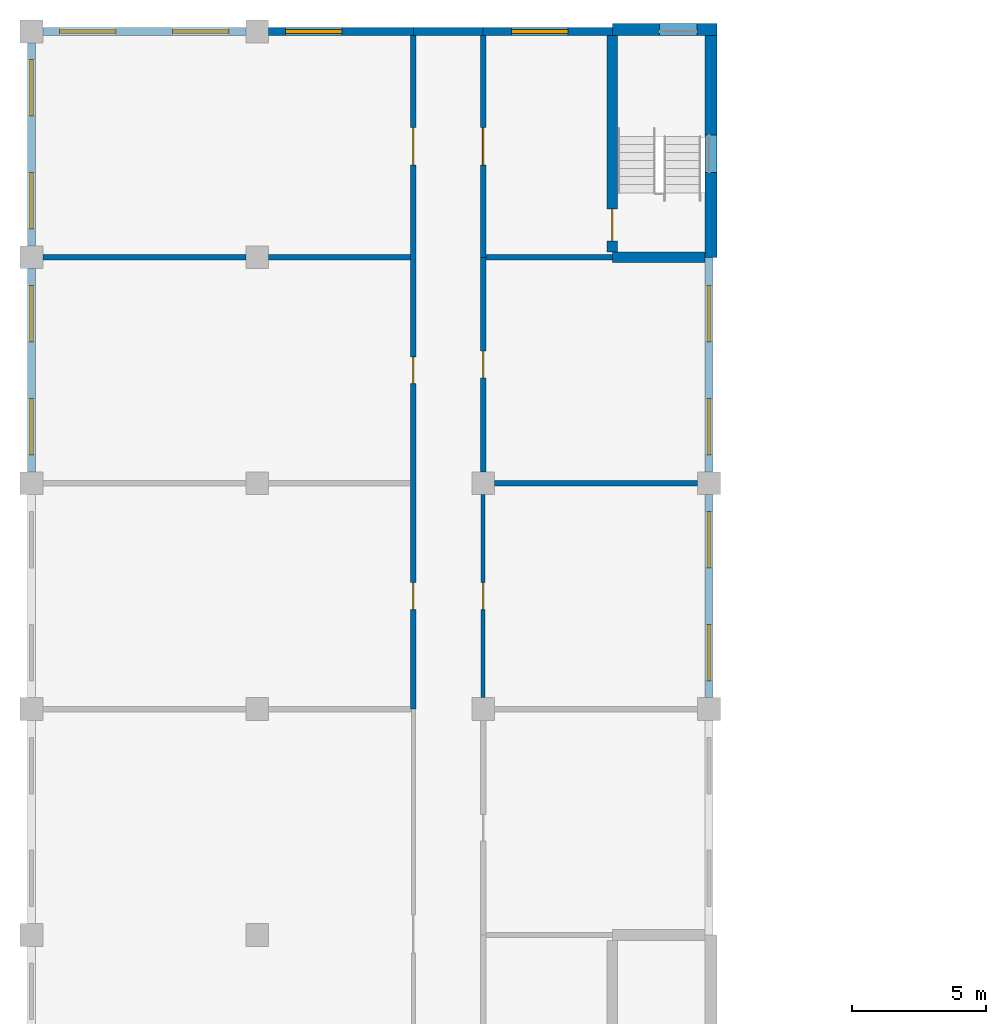
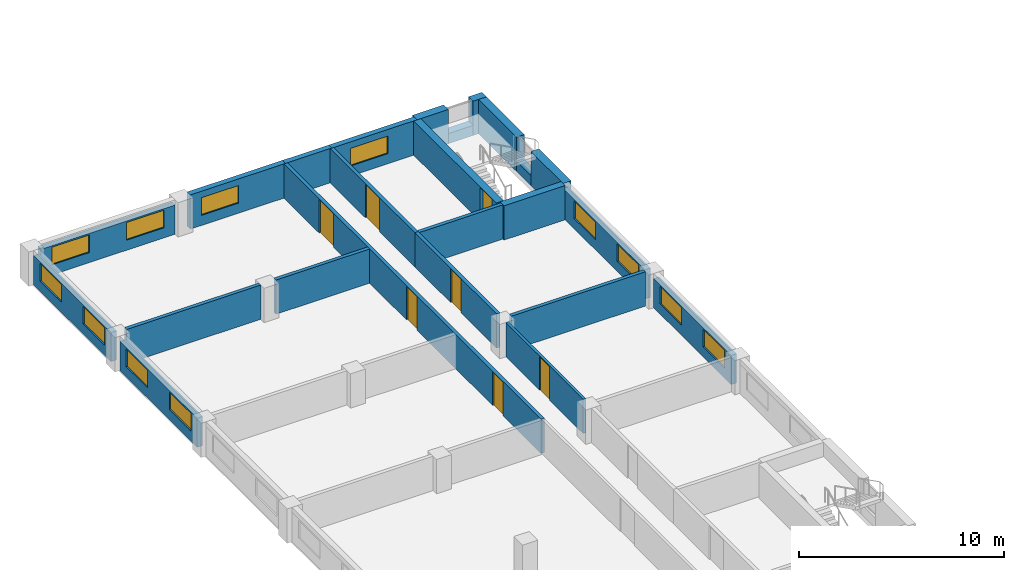
# One storey, part 38 of 48: 24 walls, 12 windows, 7 doors, 19 openings.
"""IFC4 building model written with IfcOpenShell, lengths in metres."""

from ifc_helpers import new_model, si_unit, direction, frame, frame_2d, origin, place, context, subcontext, project, spatial, rectangle, extrude, material, layer, layer_set, type_object, element, fill, save


model = new_model("IFC4")

# Units and contexts
model_context = context("Model", 3, precision=1e-05, world=origin(), true_north=direction((0.0, 1.0)))
body_context = subcontext(model_context, "Body", "Model", "MODEL_VIEW")
ifc_project = project(units=[si_unit("LENGTHUNIT", "METRE"), si_unit("AREAUNIT", "SQUARE_METRE"), si_unit("VOLUMEUNIT", "CUBIC_METRE"), si_unit("PLANEANGLEUNIT", "RADIAN"), si_unit("MASSUNIT", "GRAM", prefix="KILO")], contexts=[model_context])

# Site, building, storey
site_placement = place(None, origin())
site = spatial("IfcSite", under=ifc_project, at=site_placement, CompositionType="ELEMENT")
building_placement = place(site_placement, origin())
building = spatial("IfcBuilding", under=site, at=building_placement, Name="Yavir Park General Hospital", CompositionType="ELEMENT")
storey_placement = place(building_placement, frame((0.0, 0.0, 12.89990234375)))
storey = spatial("IfcBuildingStorey", under=building, at=storey_placement, Name="I02", CompositionType="ELEMENT", Elevation=12.89990234375)

# Wall
ifc_material_1 = material(Name="Double gypsum board fire partition on steel studs", Category="steel")
ifc_layer_1 = layer(ifc_material_1, 0.199951171875)
ifc_layer_set_1 = layer_set([ifc_layer_1], Name="Double gypsum board fire partition on steel studs")
wall_type_1 = type_object("IfcWallType", Name="Fire-rated partition 200, EI 60", PredefinedType="PARTITIONING", material=ifc_layer_set_1)
wall_1_placement = place(storey_placement, frame((16.89990234375, 109.199951171875, 0.0), z_axis=(0.0, 0.0, 1.0), x_axis=(1.0, 0.0, 0.0)))
element("IfcWall", 1, at=wall_1_placement, inside=storey, type_object=wall_type_1, Name="FP20 I02-102", PredefinedType="PARTITIONING", context=body_context, shape_type="SweptSolid", body=[
    extrude(rectangle(XDim=4.7001953125, YDim=0.199951171875, at=frame_2d((2.35009765625, 0.0))), origin(), (0.0, 0.0, 1.0), 2.0400390625),
])

# Wall, opening, door
wall_2_placement = place(storey_placement, frame((16.800048828125, 109.199951171875, 0.0), z_axis=(0.0, 0.0, 1.0), x_axis=(0.0, 1.0, 0.0)))
wall_2 = element("IfcWall", 2, at=wall_2_placement, inside=storey, type_object=wall_type_1, Name="FP20 I02-129", PredefinedType="PARTITIONING", context=body_context, shape_type="SweptSolid", body=[
    extrude(rectangle(XDim=8.25, YDim=0.199951171875, at=frame_2d((4.125, 0.0))), origin(), (0.0, 0.0, 1.0), 2.0400390625),
])
opening_1_placement = place(wall_2_placement, frame((3.425048828125, 0.0, 0.0)))
opening_1 = element("IfcOpeningElement", 3, at=opening_1_placement, cuts=wall_2, Name="Opening I02.D075", PredefinedType="OPENING", context=body_context, shape_type="SweptSolid", body=[
    extrude(rectangle(XDim=1.39990234375, YDim=2.0, at=frame_2d((0.699951171875, 1.0))), frame((0.0, 0.10986328125, 0.0), z_axis=(0.0, -1.0, 0.0), x_axis=(1.0, 0.0, 0.0)), (0.0, 0.0, 1.0), 0.219970703125),
])
ifc_material_2 = material(Name="Steel frame, fire-resisting leaves with vision panels", Category="steel")
door_type_1 = type_object("IfcDoorType", Name="Double fire door with vision panels 1400 x 2000, EI 60", OperationType="DOUBLE_DOOR_SINGLE_SWING", PredefinedType="DOOR", material=ifc_material_2)
door_1_placement = place(opening_1_placement, origin())
door_1 = element("IfcDoor", 4, at=door_1_placement, inside=storey, type_object=door_type_1, Name="I02.D075", OperationType="SINGLE_SWING_LEFT", OverallHeight=2.0, OverallWidth=1.39990234375, PredefinedType="DOOR", context=body_context, shape_type="SweptSolid", body=[
    extrude(rectangle(XDim=1.39990234375, YDim=2.0, at=frame_2d((0.699951171875, 1.0))), frame((0.0, 0.030029296875, 0.0), z_axis=(0.0, -1.0, 0.0), x_axis=(1.0, 0.0, 0.0)), (0.0, 0.0, 1.0), 0.06005859375),
])
fill(opening_1, door_1)

ifc_material_3 = material(Name="Gypsum board partition on steel studs", Category="steel")
ifc_layer_2 = layer(ifc_material_3, 0.14990234375)
ifc_layer_set_2 = layer_set([ifc_layer_2], Name="Gypsum board partition on steel studs")
wall_type_2 = type_object("IfcWallType", Name="Gypsum board partition 150", PredefinedType="PARTITIONING", material=ifc_layer_set_2)
wall_3_placement = place(storey_placement, frame((16.800048828125, 92.824951171875, 0.0), z_axis=(0.0, 0.0, 1.0), x_axis=(0.0, 1.0, 0.0)))
wall_3 = element("IfcWall", 5, at=wall_3_placement, inside=storey, type_object=wall_type_2, Name="P15 I02-127", PredefinedType="PARTITIONING", context=body_context, shape_type="SweptSolid", body=[
    extrude(rectangle(XDim=7.550048828125, YDim=0.14990234375, at=frame_2d((3.77490234375, 0.0))), origin(), (0.0, 0.0, 1.0), 2.0400390625),
])
opening_2_placement = place(wall_3_placement, frame((3.27490234375, 0.0, 0.0)))
opening_2 = element("IfcOpeningElement", 6, at=opening_2_placement, cuts=wall_3, Name="Opening I02.D073", PredefinedType="OPENING", context=body_context, shape_type="SweptSolid", body=[
    extrude(rectangle(XDim=1.0, YDim=2.0, at=frame_2d((0.5, 1.0))), frame((0.0, 0.0849609375, 0.0), z_axis=(0.0, -1.0, 0.0), x_axis=(1.0, 0.0, 0.0)), (0.0, 0.0, 1.0), 0.169921875),
])
ifc_material_4 = material(Name="Hollow metal frame, solid-core timber leaf", Category="wood")
door_type_2 = type_object("IfcDoorType", Name="Single swing door 1000 x 2000", OperationType="SINGLE_SWING_LEFT", PredefinedType="DOOR", material=ifc_material_4)
door_2_placement = place(opening_2_placement, origin())
door_2 = element("IfcDoor", 7, at=door_2_placement, inside=storey, type_object=door_type_2, Name="I02.D073", OperationType="SINGLE_SWING_LEFT", OverallHeight=2.0, OverallWidth=1.0, PredefinedType="DOOR", context=body_context, shape_type="SweptSolid", body=[
    extrude(rectangle(XDim=1.0, YDim=2.0, at=frame_2d((0.5, 1.0))), frame((0.0, 0.02490234375, 0.0), z_axis=(0.0, -1.0, 0.0), x_axis=(1.0, 0.0, 0.0)), (0.0, 0.0, 1.0), 0.050048828125),
])
fill(opening_2, door_2)

# Wall, openings, windows
ifc_material_5 = material(Name="Insulated sandwich panels on a Steel S355 subframe", Category="steel")
ifc_layer_3 = layer(ifc_material_5, 0.300048828125)
ifc_layer_set_3 = layer_set([ifc_layer_3], Name="Insulated sandwich panels on a Steel S355 subframe")
wall_type_3 = type_object("IfcWallType", Name="Insulated panel service floor wall 300, E 30", PredefinedType="SOLIDWALL", material=ifc_layer_set_3)
wall_4_placement = place(storey_placement, frame((0.425048828125, 117.60009765625, 0.0), z_axis=(0.0, 0.0, 1.0), x_axis=(1.0, 0.0, 0.0)))
wall_4 = element("IfcWall", 8, at=wall_4_placement, inside=storey, type_object=wall_type_3, Name="XW5 I02-063", PredefinedType="SOLIDWALL", context=body_context, shape_type="SweptSolid", body=[
    extrude(rectangle(XDim=7.550048828125, YDim=0.300048828125, at=frame_2d((3.77490234375, 0.0))), origin(), (0.0, 0.0, 1.0), 1.739990234375),
])
opening_3_placement = place(wall_4_placement, frame((0.625, 0.0, 0.60009765625)))
opening_3 = element("IfcOpeningElement", 9, at=opening_3_placement, cuts=wall_4, Name="Opening LV3", PredefinedType="OPENING", context=body_context, shape_type="SweptSolid", body=[
    extrude(rectangle(XDim=2.10009765625, YDim=1.050048828125, at=frame_2d((1.050048828125, 0.52490234375))), frame((0.0, 0.159912109375, 0.0), z_axis=(0.0, -1.0, 0.0), x_axis=(1.0, 0.0, 0.0)), (0.0, 0.0, 1.0), 0.320068359375),
])
opening_4_placement = place(wall_4_placement, frame((4.824951171875, 0.0, 0.60009765625)))
opening_4 = element("IfcOpeningElement", 10, at=opening_4_placement, cuts=wall_4, Name="Opening LV3", PredefinedType="OPENING", context=body_context, shape_type="SweptSolid", body=[
    extrude(rectangle(XDim=2.10009765625, YDim=1.050048828125, at=frame_2d((1.050048828125, 0.52490234375))), frame((0.0, 0.159912109375, 0.0), z_axis=(0.0, -1.0, 0.0), x_axis=(1.0, 0.0, 0.0)), (0.0, 0.0, 1.0), 0.320068359375),
])
ifc_material_6 = material(Name="Anodised aluminium louvre blades in a deep frame", Category="aluminium")
window_type = type_object("IfcWindowType", Name="Interstitial floor louvre 2100 x 1050", PartitioningType="SINGLE_PANEL", PredefinedType="WINDOW", material=ifc_material_6)
window_1_placement = place(opening_3_placement, origin())
window_1 = element("IfcWindow", 11, at=window_1_placement, inside=storey, type_object=window_type, Name="LV3 I02-059", OverallHeight=1.050048828125, OverallWidth=2.10009765625, PartitioningType="SINGLE_PANEL", PredefinedType="WINDOW", context=body_context, shape_type="SweptSolid", body=[
    extrude(rectangle(XDim=2.10009765625, YDim=1.050048828125, at=frame_2d((1.050048828125, 0.52490234375))), frame((0.0, 0.074951171875, 0.0), z_axis=(0.0, -1.0, 0.0), x_axis=(1.0, 0.0, 0.0)), (0.0, 0.0, 1.0), 0.14990234375),
])
fill(opening_3, window_1)
window_2_placement = place(opening_4_placement, origin())
window_2 = element("IfcWindow", 12, at=window_2_placement, inside=storey, type_object=window_type, Name="LV3 I02-060", OverallHeight=1.050048828125, OverallWidth=2.10009765625, PartitioningType="SINGLE_PANEL", PredefinedType="WINDOW", context=body_context, shape_type="SweptSolid", body=[
    extrude(rectangle(XDim=2.10009765625, YDim=1.050048828125, at=frame_2d((1.050048828125, 0.52490234375))), frame((0.0, 0.074951171875, 0.0), z_axis=(0.0, -1.0, 0.0), x_axis=(1.0, 0.0, 0.0)), (0.0, 0.0, 1.0), 0.14990234375),
])
fill(opening_4, window_2)

# Wall, opening, window
wall_5_placement = place(storey_placement, frame((8.824951171875, 117.60009765625, 0.0), z_axis=(0.0, 0.0, 1.0), x_axis=(1.0, 0.0, 0.0)))
wall_5 = element("IfcWall", 13, at=wall_5_placement, inside=storey, type_object=wall_type_3, Name="XW5 I02-064", PredefinedType="SOLIDWALL", context=body_context, shape_type="SweptSolid", body=[
    extrude(rectangle(XDim=5.375, YDim=0.300048828125, at=frame_2d((2.6875, 0.0))), origin(), (0.0, 0.0, 1.0), 2.0400390625),
])
opening_5_placement = place(wall_5_placement, frame((0.625, 0.0, 0.60009765625)))
opening_5 = element("IfcOpeningElement", 14, at=opening_5_placement, cuts=wall_5, Name="Opening LV3", PredefinedType="OPENING", context=body_context, shape_type="SweptSolid", body=[
    extrude(rectangle(XDim=2.10009765625, YDim=1.050048828125, at=frame_2d((1.050048828125, 0.52490234375))), frame((0.0, 0.159912109375, 0.0), z_axis=(0.0, -1.0, 0.0), x_axis=(1.0, 0.0, 0.0)), (0.0, 0.0, 1.0), 0.320068359375),
])
window_3_placement = place(opening_5_placement, origin())
window_3 = element("IfcWindow", 15, at=window_3_placement, inside=storey, type_object=window_type, Name="LV3 I02-061", OverallHeight=1.050048828125, OverallWidth=2.10009765625, PartitioningType="SINGLE_PANEL", PredefinedType="WINDOW", context=body_context, shape_type="SweptSolid", body=[
    extrude(rectangle(XDim=2.10009765625, YDim=1.050048828125, at=frame_2d((1.050048828125, 0.52490234375))), frame((0.0, 0.074951171875, 0.0), z_axis=(0.0, -1.0, 0.0), x_axis=(1.0, 0.0, 0.0)), (0.0, 0.0, 1.0), 0.14990234375),
])
fill(opening_5, window_3)

# Wall
wall_6_placement = place(storey_placement, frame((14.199951171875, 117.60009765625, 0.0), z_axis=(0.0, 0.0, 1.0), x_axis=(1.0, 0.0, 0.0)))
element("IfcWall", 16, at=wall_6_placement, inside=storey, type_object=wall_type_3, Name="XW5 I02-065", PredefinedType="SOLIDWALL", context=body_context, shape_type="SweptSolid", body=[
    extrude(rectangle(XDim=2.60009765625, YDim=0.300048828125, at=frame_2d((1.300048828125, 0.0))), origin(), (0.0, 0.0, 1.0), 2.0400390625),
])

# Wall, opening, window
wall_7_placement = place(storey_placement, frame((16.800048828125, 117.60009765625, 0.0), z_axis=(0.0, 0.0, 1.0), x_axis=(1.0, 0.0, 0.0)))
wall_7 = element("IfcWall", 17, at=wall_7_placement, inside=storey, type_object=wall_type_3, Name="XW5 I02-066", PredefinedType="SOLIDWALL", context=body_context, shape_type="SweptSolid", body=[
    extrude(rectangle(XDim=4.800048828125, YDim=0.300048828125, at=frame_2d((2.39990234375, 0.0))), origin(), (0.0, 0.0, 1.0), 2.0400390625),
])
opening_6_placement = place(wall_7_placement, frame((1.050048828125, 0.0, 0.60009765625)))
opening_6 = element("IfcOpeningElement", 18, at=opening_6_placement, cuts=wall_7, Name="Opening LV3", PredefinedType="OPENING", context=body_context, shape_type="SweptSolid", body=[
    extrude(rectangle(XDim=2.10009765625, YDim=1.050048828125, at=frame_2d((1.050048828125, 0.52490234375))), frame((0.0, 0.159912109375, 0.0), z_axis=(0.0, -1.0, 0.0), x_axis=(1.0, 0.0, 0.0)), (0.0, 0.0, 1.0), 0.320068359375),
])
window_4_placement = place(opening_6_placement, origin())
window_4 = element("IfcWindow", 19, at=window_4_placement, inside=storey, type_object=window_type, Name="LV3 I02-062", OverallHeight=1.050048828125, OverallWidth=2.10009765625, PartitioningType="SINGLE_PANEL", PredefinedType="WINDOW", context=body_context, shape_type="SweptSolid", body=[
    extrude(rectangle(XDim=2.10009765625, YDim=1.050048828125, at=frame_2d((1.050048828125, 0.52490234375))), frame((0.0, 0.074951171875, 0.0), z_axis=(0.0, -1.0, 0.0), x_axis=(1.0, 0.0, 0.0)), (0.0, 0.0, 1.0), 0.14990234375),
])
fill(opening_6, window_4)

# Wall, openings, windows
wall_8_placement = place(storey_placement, frame((0.0, 101.22509765625, 0.0), z_axis=(0.0, 0.0, 1.0), x_axis=(0.0, 1.0, 0.0)))
wall_8 = element("IfcWall", 20, at=wall_8_placement, inside=storey, type_object=wall_type_3, Name="XW5 I02-087", PredefinedType="SOLIDWALL", context=body_context, shape_type="SweptSolid", body=[
    extrude(rectangle(XDim=7.5498046875, YDim=0.300048828125, at=frame_2d((3.77490234375, 0.0))), origin(), (0.0, 0.0, 1.0), 1.739990234375),
])
opening_7_placement = place(wall_8_placement, frame((0.625, 0.0, 0.60009765625)))
opening_7 = element("IfcOpeningElement", 21, at=opening_7_placement, cuts=wall_8, Name="Opening LV3", PredefinedType="OPENING", context=body_context, shape_type="SweptSolid", body=[
    extrude(rectangle(XDim=2.10009765625, YDim=1.050048828125, at=frame_2d((1.050048828125, 0.52490234375))), frame((0.0, 0.159912109375, 0.0), z_axis=(0.0, -1.0, 0.0), x_axis=(1.0, 0.0, 0.0)), (0.0, 0.0, 1.0), 0.320068359375),
])
opening_8_placement = place(wall_8_placement, frame((4.824951171875, 0.0, 0.60009765625)))
opening_8 = element("IfcOpeningElement", 22, at=opening_8_placement, cuts=wall_8, Name="Opening LV3", PredefinedType="OPENING", context=body_context, shape_type="SweptSolid", body=[
    extrude(rectangle(XDim=2.10009765625, YDim=1.050048828125, at=frame_2d((1.050048828125, 0.52490234375))), frame((0.0, 0.159912109375, 0.0), z_axis=(0.0, -1.0, 0.0), x_axis=(1.0, 0.0, 0.0)), (0.0, 0.0, 1.0), 0.320068359375),
])
window_5_placement = place(opening_7_placement, origin())
window_5 = element("IfcWindow", 23, at=window_5_placement, inside=storey, type_object=window_type, Name="LV3 I02-083", OverallHeight=1.050048828125, OverallWidth=2.10009765625, PartitioningType="SINGLE_PANEL", PredefinedType="WINDOW", context=body_context, shape_type="SweptSolid", body=[
    extrude(rectangle(XDim=2.10009765625, YDim=1.050048828125, at=frame_2d((1.050048828125, 0.52490234375))), frame((0.0, 0.074951171875, 0.0), z_axis=(0.0, -1.0, 0.0), x_axis=(1.0, 0.0, 0.0)), (0.0, 0.0, 1.0), 0.14990234375),
])
fill(opening_7, window_5)
window_6_placement = place(opening_8_placement, origin())
window_6 = element("IfcWindow", 24, at=window_6_placement, inside=storey, type_object=window_type, Name="LV3 I02-084", OverallHeight=1.050048828125, OverallWidth=2.10009765625, PartitioningType="SINGLE_PANEL", PredefinedType="WINDOW", context=body_context, shape_type="SweptSolid", body=[
    extrude(rectangle(XDim=2.10009765625, YDim=1.050048828125, at=frame_2d((1.050048828125, 0.52490234375))), frame((0.0, 0.074951171875, 0.0), z_axis=(0.0, -1.0, 0.0), x_axis=(1.0, 0.0, 0.0)), (0.0, 0.0, 1.0), 0.14990234375),
])
fill(opening_8, window_6)

wall_9_placement = place(storey_placement, frame((0.0, 109.625, 0.0), z_axis=(0.0, 0.0, 1.0), x_axis=(0.0, 1.0, 0.0)))
wall_9 = element("IfcWall", 25, at=wall_9_placement, inside=storey, type_object=wall_type_3, Name="XW5 I02-088", PredefinedType="SOLIDWALL", context=body_context, shape_type="SweptSolid", body=[
    extrude(rectangle(XDim=7.550048828125, YDim=0.300048828125, at=frame_2d((3.77490234375, 0.0))), origin(), (0.0, 0.0, 1.0), 1.739990234375),
])
opening_9_placement = place(wall_9_placement, frame((0.625, 0.0, 0.60009765625)))
opening_9 = element("IfcOpeningElement", 26, at=opening_9_placement, cuts=wall_9, Name="Opening LV3", PredefinedType="OPENING", context=body_context, shape_type="SweptSolid", body=[
    extrude(rectangle(XDim=2.10009765625, YDim=1.050048828125, at=frame_2d((1.050048828125, 0.52490234375))), frame((0.0, 0.159912109375, 0.0), z_axis=(0.0, -1.0, 0.0), x_axis=(1.0, 0.0, 0.0)), (0.0, 0.0, 1.0), 0.320068359375),
])
opening_10_placement = place(wall_9_placement, frame((4.824951171875, 0.0, 0.60009765625)))
opening_10 = element("IfcOpeningElement", 27, at=opening_10_placement, cuts=wall_9, Name="Opening LV3", PredefinedType="OPENING", context=body_context, shape_type="SweptSolid", body=[
    extrude(rectangle(XDim=2.10009765625, YDim=1.050048828125, at=frame_2d((1.050048828125, 0.52490234375))), frame((0.0, 0.159912109375, 0.0), z_axis=(0.0, -1.0, 0.0), x_axis=(1.0, 0.0, 0.0)), (0.0, 0.0, 1.0), 0.320068359375),
])
window_7_placement = place(opening_9_placement, origin())
window_7 = element("IfcWindow", 28, at=window_7_placement, inside=storey, type_object=window_type, Name="LV3 I02-085", OverallHeight=1.050048828125, OverallWidth=2.10009765625, PartitioningType="SINGLE_PANEL", PredefinedType="WINDOW", context=body_context, shape_type="SweptSolid", body=[
    extrude(rectangle(XDim=2.10009765625, YDim=1.050048828125, at=frame_2d((1.050048828125, 0.52490234375))), frame((0.0, 0.074951171875, 0.0), z_axis=(0.0, -1.0, 0.0), x_axis=(1.0, 0.0, 0.0)), (0.0, 0.0, 1.0), 0.14990234375),
])
fill(opening_9, window_7)
window_8_placement = place(opening_10_placement, origin())
window_8 = element("IfcWindow", 29, at=window_8_placement, inside=storey, type_object=window_type, Name="LV3 I02-086", OverallHeight=1.050048828125, OverallWidth=2.10009765625, PartitioningType="SINGLE_PANEL", PredefinedType="WINDOW", context=body_context, shape_type="SweptSolid", body=[
    extrude(rectangle(XDim=2.10009765625, YDim=1.050048828125, at=frame_2d((1.050048828125, 0.52490234375))), frame((0.0, 0.074951171875, 0.0), z_axis=(0.0, -1.0, 0.0), x_axis=(1.0, 0.0, 0.0)), (0.0, 0.0, 1.0), 0.14990234375),
])
fill(opening_10, window_8)

wall_10_placement = place(storey_placement, frame((25.199951171875, 92.824951171875, 0.0), z_axis=(0.0, 0.0, 1.0), x_axis=(0.0, 1.0, 0.0)))
wall_10 = element("IfcWall", 30, at=wall_10_placement, inside=storey, type_object=wall_type_3, Name="XW5 I02-100", PredefinedType="SOLIDWALL", context=body_context, shape_type="SweptSolid", body=[
    extrude(rectangle(XDim=7.550048828125, YDim=0.300048828125, at=frame_2d((3.77490234375, 0.0))), origin(), (0.0, 0.0, 1.0), 1.739990234375),
])
opening_11_placement = place(wall_10_placement, frame((0.625, 0.0, 0.60009765625)))
opening_11 = element("IfcOpeningElement", 31, at=opening_11_placement, cuts=wall_10, Name="Opening LV3", PredefinedType="OPENING", context=body_context, shape_type="SweptSolid", body=[
    extrude(rectangle(XDim=2.10009765625, YDim=1.050048828125, at=frame_2d((1.050048828125, 0.52490234375))), frame((0.0, 0.159912109375, 0.0), z_axis=(0.0, -1.0, 0.0), x_axis=(1.0, 0.0, 0.0)), (0.0, 0.0, 1.0), 0.320068359375),
])
opening_12_placement = place(wall_10_placement, frame((4.824951171875, 0.0, 0.60009765625)))
opening_12 = element("IfcOpeningElement", 32, at=opening_12_placement, cuts=wall_10, Name="Opening LV3", PredefinedType="OPENING", context=body_context, shape_type="SweptSolid", body=[
    extrude(rectangle(XDim=2.10009765625, YDim=1.050048828125, at=frame_2d((1.050048828125, 0.52490234375))), frame((0.0, 0.159912109375, 0.0), z_axis=(0.0, -1.0, 0.0), x_axis=(1.0, 0.0, 0.0)), (0.0, 0.0, 1.0), 0.320068359375),
])
window_9_placement = place(opening_11_placement, origin())
window_9 = element("IfcWindow", 33, at=window_9_placement, inside=storey, type_object=window_type, Name="LV3 I02-097", OverallHeight=1.050048828125, OverallWidth=2.10009765625, PartitioningType="SINGLE_PANEL", PredefinedType="WINDOW", context=body_context, shape_type="SweptSolid", body=[
    extrude(rectangle(XDim=2.10009765625, YDim=1.050048828125, at=frame_2d((1.050048828125, 0.52490234375))), frame((0.0, 0.074951171875, 0.0), z_axis=(0.0, -1.0, 0.0), x_axis=(1.0, 0.0, 0.0)), (0.0, 0.0, 1.0), 0.14990234375),
])
fill(opening_11, window_9)
window_10_placement = place(opening_12_placement, origin())
window_10 = element("IfcWindow", 34, at=window_10_placement, inside=storey, type_object=window_type, Name="LV3 I02-098", OverallHeight=1.050048828125, OverallWidth=2.10009765625, PartitioningType="SINGLE_PANEL", PredefinedType="WINDOW", context=body_context, shape_type="SweptSolid", body=[
    extrude(rectangle(XDim=2.10009765625, YDim=1.050048828125, at=frame_2d((1.050048828125, 0.52490234375))), frame((0.0, 0.074951171875, 0.0), z_axis=(0.0, -1.0, 0.0), x_axis=(1.0, 0.0, 0.0)), (0.0, 0.0, 1.0), 0.14990234375),
])
fill(opening_12, window_10)

wall_11_placement = place(storey_placement, frame((25.199951171875, 101.22509765625, 0.0), z_axis=(0.0, 0.0, 1.0), x_axis=(0.0, 1.0, 0.0)))
wall_11 = element("IfcWall", 35, at=wall_11_placement, inside=storey, type_object=wall_type_3, Name="XW5 I02-101", PredefinedType="SOLIDWALL", context=body_context, shape_type="SweptSolid", body=[
    extrude(rectangle(XDim=7.974853515625, YDim=0.300048828125, at=frame_2d((3.9873046875, 0.0))), origin(), (0.0, 0.0, 1.0), 1.739990234375),
])
opening_13_placement = place(wall_11_placement, frame((0.625, 0.0, 0.60009765625)))
opening_13 = element("IfcOpeningElement", 36, at=opening_13_placement, cuts=wall_11, Name="Opening LV3", PredefinedType="OPENING", context=body_context, shape_type="SweptSolid", body=[
    extrude(rectangle(XDim=2.10009765625, YDim=1.050048828125, at=frame_2d((1.050048828125, 0.52490234375))), frame((0.0, 0.159912109375, 0.0), z_axis=(0.0, -1.0, 0.0), x_axis=(1.0, 0.0, 0.0)), (0.0, 0.0, 1.0), 0.320068359375),
])
opening_14_placement = place(wall_11_placement, frame((4.824951171875, 0.0, 0.60009765625)))
opening_14 = element("IfcOpeningElement", 37, at=opening_14_placement, cuts=wall_11, Name="Opening LV3", PredefinedType="OPENING", context=body_context, shape_type="SweptSolid", body=[
    extrude(rectangle(XDim=2.10009765625, YDim=1.050048828125, at=frame_2d((1.050048828125, 0.52490234375))), frame((0.0, 0.159912109375, 0.0), z_axis=(0.0, -1.0, 0.0), x_axis=(1.0, 0.0, 0.0)), (0.0, 0.0, 1.0), 0.320068359375),
])
window_11_placement = place(opening_13_placement, origin())
window_11 = element("IfcWindow", 38, at=window_11_placement, inside=storey, type_object=window_type, Name="LV3 I02-099", OverallHeight=1.050048828125, OverallWidth=2.10009765625, PartitioningType="SINGLE_PANEL", PredefinedType="WINDOW", context=body_context, shape_type="SweptSolid", body=[
    extrude(rectangle(XDim=2.10009765625, YDim=1.050048828125, at=frame_2d((1.050048828125, 0.52490234375))), frame((0.0, 0.074951171875, 0.0), z_axis=(0.0, -1.0, 0.0), x_axis=(1.0, 0.0, 0.0)), (0.0, 0.0, 1.0), 0.14990234375),
])
fill(opening_13, window_11)
window_12_placement = place(opening_14_placement, origin())
window_12 = element("IfcWindow", 39, at=window_12_placement, inside=storey, type_object=window_type, Name="LV3 I02-100", OverallHeight=1.050048828125, OverallWidth=2.10009765625, PartitioningType="SINGLE_PANEL", PredefinedType="WINDOW", context=body_context, shape_type="SweptSolid", body=[
    extrude(rectangle(XDim=2.10009765625, YDim=1.050048828125, at=frame_2d((1.050048828125, 0.52490234375))), frame((0.0, 0.074951171875, 0.0), z_axis=(0.0, -1.0, 0.0), x_axis=(1.0, 0.0, 0.0)), (0.0, 0.0, 1.0), 0.14990234375),
])
fill(opening_14, window_12)

# Walls
ifc_material_7 = material(Name="Clay block masonry infill", Category="masonry")
ifc_layer_4 = layer(ifc_material_7, 0.199951171875)
ifc_layer_set_4 = layer_set([ifc_layer_4], Name="Clay block masonry infill")
wall_type_4 = type_object("IfcWallType", Name="Masonry infill wall 200", PredefinedType="SOLIDWALL", material=ifc_layer_set_4)
wall_12_placement = place(storey_placement, frame((17.22509765625, 100.800048828125, 0.0), z_axis=(0.0, 0.0, 1.0), x_axis=(1.0, 0.0, 0.0)))
element("IfcWall", 40, at=wall_12_placement, inside=storey, type_object=wall_type_4, Name="MW20 I02-099", PredefinedType="SOLIDWALL", context=body_context, shape_type="SweptSolid", body=[
    extrude(rectangle(XDim=7.5498046875, YDim=0.199951171875, at=frame_2d((3.77490234375, 0.0))), origin(), (0.0, 0.0, 1.0), 2.0400390625),
])
wall_13_placement = place(storey_placement, frame((0.425048828125, 109.199951171875, 0.0), z_axis=(0.0, 0.0, 1.0), x_axis=(1.0, 0.0, 0.0)))
element("IfcWall", 41, at=wall_13_placement, inside=storey, type_object=wall_type_4, Name="MW20 I02-100", PredefinedType="SOLIDWALL", context=body_context, shape_type="SweptSolid", body=[
    extrude(rectangle(XDim=7.550048828125, YDim=0.199951171875, at=frame_2d((3.77490234375, 0.0))), origin(), (0.0, 0.0, 1.0), 2.0400390625),
])
wall_14_placement = place(storey_placement, frame((8.824951171875, 109.199951171875, 0.0), z_axis=(0.0, 0.0, 1.0), x_axis=(1.0, 0.0, 0.0)))
element("IfcWall", 42, at=wall_14_placement, inside=storey, type_object=wall_type_4, Name="MW20 I02-101", PredefinedType="SOLIDWALL", context=body_context, shape_type="SweptSolid", body=[
    extrude(rectangle(XDim=5.275146484375, YDim=0.199951171875, at=frame_2d((2.6376953125, 0.0))), origin(), (0.0, 0.0, 1.0), 2.0400390625),
])

# Wall, openings, doors
wall_15_placement = place(storey_placement, frame((14.199951171875, 92.39990234375, 0.0), z_axis=(0.0, 0.0, 1.0), x_axis=(0.0, 1.0, 0.0)))
wall_15 = element("IfcWall", 43, at=wall_15_placement, inside=storey, type_object=wall_type_4, Name="MW20 I02-116", PredefinedType="SOLIDWALL", context=body_context, shape_type="SweptSolid", body=[
    extrude(rectangle(XDim=25.050048828125, YDim=0.199951171875, at=frame_2d((12.52490234375, 0.0))), origin(), (0.0, 0.0, 1.0), 2.0400390625),
])
opening_15_placement = place(wall_15_placement, frame((3.699951171875, 0.0, 0.0)))
opening_15 = element("IfcOpeningElement", 44, at=opening_15_placement, cuts=wall_15, Name="Opening I02.D061", PredefinedType="OPENING", context=body_context, shape_type="SweptSolid", body=[
    extrude(rectangle(XDim=1.0, YDim=2.0, at=frame_2d((0.5, 1.0))), frame((0.0, 0.10986328125, 0.0), z_axis=(0.0, -1.0, 0.0), x_axis=(1.0, 0.0, 0.0)), (0.0, 0.0, 1.0), 0.219970703125),
])
opening_16_placement = place(wall_15_placement, frame((12.10009765625, 0.0, 0.0)))
opening_16 = element("IfcOpeningElement", 45, at=opening_16_placement, cuts=wall_15, Name="Opening I02.D062", PredefinedType="OPENING", context=body_context, shape_type="SweptSolid", body=[
    extrude(rectangle(XDim=1.0, YDim=2.0, at=frame_2d((0.5, 1.0))), frame((0.0, 0.10986328125, 0.0), z_axis=(0.0, -1.0, 0.0), x_axis=(1.0, 0.0, 0.0)), (0.0, 0.0, 1.0), 0.219970703125),
])
opening_17_placement = place(wall_15_placement, frame((20.22509765625, 0.0, 0.0)))
opening_17 = element("IfcOpeningElement", 46, at=opening_17_placement, cuts=wall_15, Name="Opening I02.D063", PredefinedType="OPENING", context=body_context, shape_type="SweptSolid", body=[
    extrude(rectangle(XDim=1.39990234375, YDim=2.0, at=frame_2d((0.699951171875, 1.0))), frame((0.0, 0.10986328125, 0.0), z_axis=(0.0, -1.0, 0.0), x_axis=(1.0, 0.0, 0.0)), (0.0, 0.0, 1.0), 0.219970703125),
])
ifc_material_8 = material(Name="Hollow metal frame, solid-core timber leaf", Category="wood")
door_type_3 = type_object("IfcDoorType", Name="Double swing door 1400 x 2000", OperationType="DOUBLE_DOOR_SINGLE_SWING", PredefinedType="DOOR", material=ifc_material_8)
door_3_placement = place(opening_17_placement, origin())
door_3 = element("IfcDoor", 47, at=door_3_placement, inside=storey, type_object=door_type_3, Name="I02.D063", OperationType="SINGLE_SWING_RIGHT", OverallHeight=2.0, OverallWidth=1.39990234375, PredefinedType="DOOR", context=body_context, shape_type="SweptSolid", body=[
    extrude(rectangle(XDim=1.39990234375, YDim=2.0, at=frame_2d((0.699951171875, 1.0))), frame((0.0, 0.02490234375, 0.0), z_axis=(0.0, -1.0, 0.0), x_axis=(1.0, 0.0, 0.0)), (0.0, 0.0, 1.0), 0.050048828125),
])
fill(opening_17, door_3)
door_4_placement = place(opening_15_placement, origin())
door_4 = element("IfcDoor", 48, at=door_4_placement, inside=storey, type_object=door_type_2, Name="I02.D061", OperationType="SINGLE_SWING_RIGHT", OverallHeight=2.0, OverallWidth=1.0, PredefinedType="DOOR", context=body_context, shape_type="SweptSolid", body=[
    extrude(rectangle(XDim=1.0, YDim=2.0, at=frame_2d((0.5, 1.0))), frame((0.0, 0.02490234375, 0.0), z_axis=(0.0, -1.0, 0.0), x_axis=(1.0, 0.0, 0.0)), (0.0, 0.0, 1.0), 0.050048828125),
])
fill(opening_15, door_4)
door_5_placement = place(opening_16_placement, origin())
door_5 = element("IfcDoor", 49, at=door_5_placement, inside=storey, type_object=door_type_2, Name="I02.D062", OperationType="SINGLE_SWING_RIGHT", OverallHeight=2.0, OverallWidth=1.0, PredefinedType="DOOR", context=body_context, shape_type="SweptSolid", body=[
    extrude(rectangle(XDim=1.0, YDim=2.0, at=frame_2d((0.5, 1.0))), frame((0.0, 0.02490234375, 0.0), z_axis=(0.0, -1.0, 0.0), x_axis=(1.0, 0.0, 0.0)), (0.0, 0.0, 1.0), 0.050048828125),
])
fill(opening_16, door_5)

# Wall, opening, door
wall_16_placement = place(storey_placement, frame((16.800048828125, 101.22509765625, 0.0), z_axis=(0.0, 0.0, 1.0), x_axis=(0.0, 1.0, 0.0)))
wall_16 = element("IfcWall", 50, at=wall_16_placement, inside=storey, type_object=wall_type_4, Name="MW20 I02-128", PredefinedType="SOLIDWALL", context=body_context, shape_type="SweptSolid", body=[
    extrude(rectangle(XDim=7.974853515625, YDim=0.199951171875, at=frame_2d((3.9873046875, 0.0))), origin(), (0.0, 0.0, 1.0), 2.0400390625),
])
opening_18_placement = place(wall_16_placement, frame((3.487548828125, 0.0, 0.0)))
opening_18 = element("IfcOpeningElement", 51, at=opening_18_placement, cuts=wall_16, Name="Opening I02.D074", PredefinedType="OPENING", context=body_context, shape_type="SweptSolid", body=[
    extrude(rectangle(XDim=1.0, YDim=2.0, at=frame_2d((0.5, 1.0))), frame((0.0, 0.10986328125, 0.0), z_axis=(0.0, -1.0, 0.0), x_axis=(1.0, 0.0, 0.0)), (0.0, 0.0, 1.0), 0.219970703125),
])
door_6_placement = place(opening_18_placement, origin())
door_6 = element("IfcDoor", 52, at=door_6_placement, inside=storey, type_object=door_type_2, Name="I02.D074", OperationType="SINGLE_SWING_RIGHT", OverallHeight=2.0, OverallWidth=1.0, PredefinedType="DOOR", context=body_context, shape_type="SweptSolid", body=[
    extrude(rectangle(XDim=1.0, YDim=2.0, at=frame_2d((0.5, 1.0))), frame((0.0, 0.02490234375, 0.0), z_axis=(0.0, -1.0, 0.0), x_axis=(1.0, 0.0, 0.0)), (0.0, 0.0, 1.0), 0.050048828125),
])
fill(opening_18, door_6)

# Wall
ifc_material_9 = material(Name="Concrete C35/45", Category="concrete")
ifc_layer_5 = layer(ifc_material_9, 0.39990234375)
ifc_layer_set_5 = layer_set([ifc_layer_5], Name="Concrete C35/45")
wall_type_5 = type_object("IfcWallType", Name="Reinforced concrete core wall 400, REI 150", PredefinedType="SHEAR", material=ifc_layer_set_5)
wall_17_placement = place(storey_placement, frame((21.60009765625, 109.199951171875, 0.0), z_axis=(0.0, 0.0, 1.0), x_axis=(1.0, 0.0, 0.0)))
element("IfcWall", 53, at=wall_17_placement, inside=storey, type_object=wall_type_5, Name="CW40 I02-103", PredefinedType="SHEAR", context=body_context, shape_type="SweptSolid", body=[
    extrude(rectangle(XDim=3.449951171875, YDim=0.39990234375, at=frame_2d((1.72509765625, 0.0))), origin(), (0.0, 0.0, 1.0), 2.0400390625),
])

# Wall, opening, door
wall_18_placement = place(storey_placement, frame((21.60009765625, 109.39990234375, 0.0), z_axis=(0.0, 0.0, 1.0), x_axis=(0.0, 1.0, 0.0)))
wall_18 = element("IfcWall", 54, at=wall_18_placement, inside=storey, type_object=wall_type_5, Name="CW40 I02-133", PredefinedType="SHEAR", context=body_context, shape_type="SweptSolid", body=[
    extrude(rectangle(XDim=8.050048828125, YDim=0.39990234375, at=frame_2d((4.02490234375, 0.0))), origin(), (0.0, 0.0, 1.0), 2.0400390625),
])
opening_19_placement = place(wall_18_placement, frame((0.39990234375, 0.0, 0.0)))
opening_19 = element("IfcOpeningElement", 55, at=opening_19_placement, cuts=wall_18, Name="Opening I02.D078", PredefinedType="OPENING", context=body_context, shape_type="SweptSolid", body=[
    extrude(rectangle(XDim=1.199951171875, YDim=2.0, at=frame_2d((0.60009765625, 1.0))), frame((0.0, 0.2099609375, 0.0), z_axis=(0.0, -1.0, 0.0), x_axis=(1.0, 0.0, 0.0)), (0.0, 0.0, 1.0), 0.419921875),
])
ifc_material_10 = material(Name="Steel frame, fire-resisting timber leaf", Category="steel")
door_type_4 = type_object("IfcDoorType", Name="Fire door 1200 x 2000, EI 60", OperationType="SINGLE_SWING_LEFT", PredefinedType="DOOR", material=ifc_material_10)
door_7_placement = place(opening_19_placement, origin())
door_7 = element("IfcDoor", 56, at=door_7_placement, inside=storey, type_object=door_type_4, Name="I02.D078", OperationType="SINGLE_SWING_LEFT", OverallHeight=2.0, OverallWidth=1.199951171875, PredefinedType="DOOR", context=body_context, shape_type="SweptSolid", body=[
    extrude(rectangle(XDim=1.199951171875, YDim=2.0, at=frame_2d((0.60009765625, 1.0))), frame((0.0, 0.02490234375, 0.0), z_axis=(0.0, -1.0, 0.0), x_axis=(1.0, 0.0, 0.0)), (0.0, 0.0, 1.0), 0.050048828125),
])
fill(opening_19, door_7)

# Walls
ifc_material_11 = material(Name="Concrete C30/37 precast panel with 150 mm mineral wool insulation", Category="concrete")
ifc_layer_6 = layer(ifc_material_11, 0.449951171875)
ifc_layer_set_6 = layer_set([ifc_layer_6], Name="Concrete C30/37 precast panel with 150 mm mineral wool insulation")
wall_type_6 = type_object("IfcWallType", Name="Stair enclosure wall 450, REI 150", PredefinedType="SOLIDWALL", material=ifc_layer_set_6)
wall_19_placement = place(storey_placement, frame((21.60009765625, 117.675048828125, 0.0), z_axis=(0.0, 0.0, 1.0), x_axis=(1.0, 0.0, 0.0)))
element("IfcWall", 57, at=wall_19_placement, inside=storey, type_object=wall_type_6, Name="XW6 I02-067", PredefinedType="SOLIDWALL", context=body_context, shape_type="SweptSolid", body=[
    extrude(rectangle(XDim=1.75, YDim=0.449951171875, at=frame_2d((0.875, 0.0))), origin(), (0.0, 0.0, 1.0), 2.0400390625),
])
wall_20_placement = place(storey_placement, frame((24.75, 117.675048828125, 0.0), z_axis=(0.0, 0.0, 1.0), x_axis=(1.0, 0.0, 0.0)))
element("IfcWall", 58, at=wall_20_placement, inside=storey, type_object=wall_type_6, Name="XW6 I02-068", PredefinedType="SOLIDWALL", context=body_context, shape_type="SweptSolid", body=[
    extrude(rectangle(XDim=0.75, YDim=0.449951171875, at=frame_2d((0.375, 0.0))), origin(), (0.0, 0.0, 1.0), 2.0400390625),
])
wall_21_placement = place(storey_placement, frame((23.35009765625, 117.675048828125, 0.0), z_axis=(0.0, 0.0, 1.0), x_axis=(1.0, 0.0, 0.0)))
element("IfcWall", 59, at=wall_21_placement, inside=storey, type_object=wall_type_6, Name="XW6 I02-069", PredefinedType="SOLIDWALL", context=body_context, shape_type="SweptSolid", body=[
    extrude(rectangle(XDim=1.39990234375, YDim=0.449951171875, at=frame_2d((0.699951171875, 0.0))), origin(), (0.0, 0.0, 1.0), 0.60009765625),
])
wall_22_placement = place(storey_placement, frame((25.27490234375, 109.199951171875, 0.0), z_axis=(0.0, 0.0, 1.0), x_axis=(0.0, 1.0, 0.0)))
element("IfcWall", 60, at=wall_22_placement, inside=storey, type_object=wall_type_6, Name="XW6 I02-102", PredefinedType="SOLIDWALL", context=body_context, shape_type="SweptSolid", body=[
    extrude(rectangle(XDim=3.150146484375, YDim=0.449951171875, at=frame_2d((1.5751953125, 0.0))), origin(), (0.0, 0.0, 1.0), 2.0400390625),
])
wall_23_placement = place(storey_placement, frame((25.27490234375, 113.75, 0.0), z_axis=(0.0, 0.0, 1.0), x_axis=(0.0, 1.0, 0.0)))
element("IfcWall", 61, at=wall_23_placement, inside=storey, type_object=wall_type_6, Name="XW6 I02-103", PredefinedType="SOLIDWALL", context=body_context, shape_type="SweptSolid", body=[
    extrude(rectangle(XDim=3.699951171875, YDim=0.449951171875, at=frame_2d((1.85009765625, 0.0))), origin(), (0.0, 0.0, 1.0), 2.0400390625),
])
wall_24_placement = place(storey_placement, frame((25.27490234375, 112.35009765625, 0.0), z_axis=(0.0, 0.0, 1.0), x_axis=(0.0, 1.0, 0.0)))
element("IfcWall", 62, at=wall_24_placement, inside=storey, type_object=wall_type_6, Name="XW6 I02-104", PredefinedType="SOLIDWALL", context=body_context, shape_type="SweptSolid", body=[
    extrude(rectangle(XDim=1.39990234375, YDim=0.449951171875, at=frame_2d((0.699951171875, 0.0))), origin(), (0.0, 0.0, 1.0), 0.60009765625),
])

save(model, "model.ifc")
